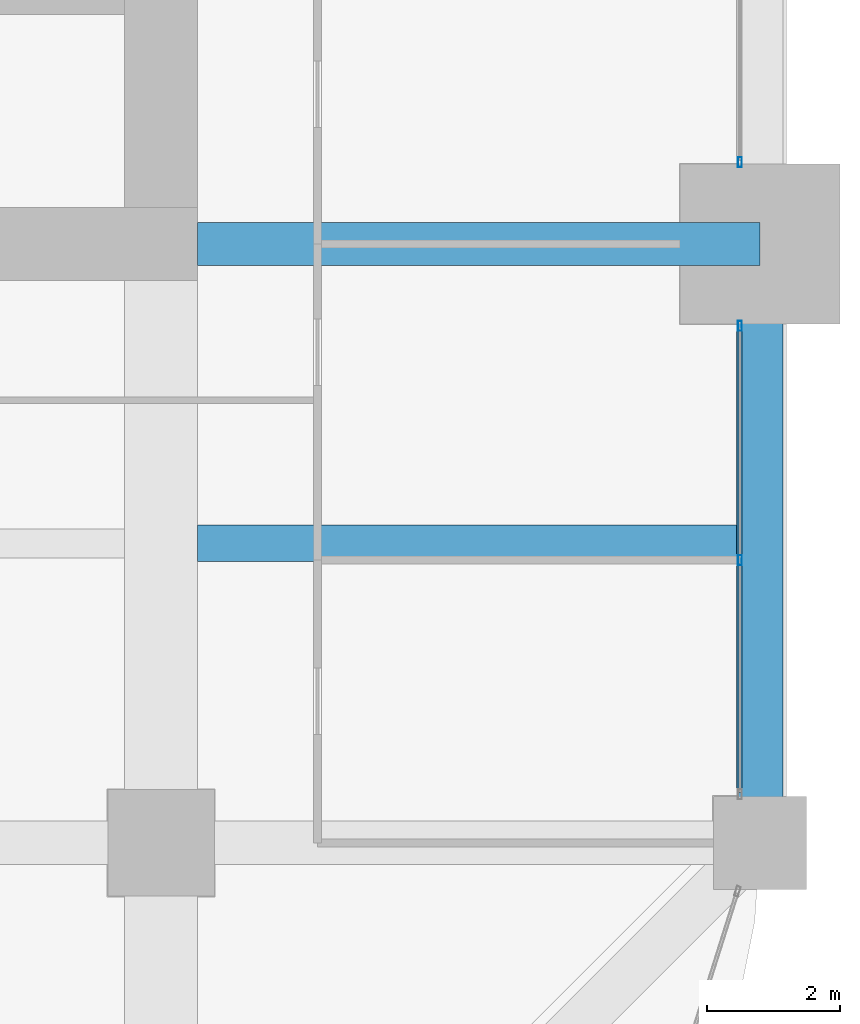
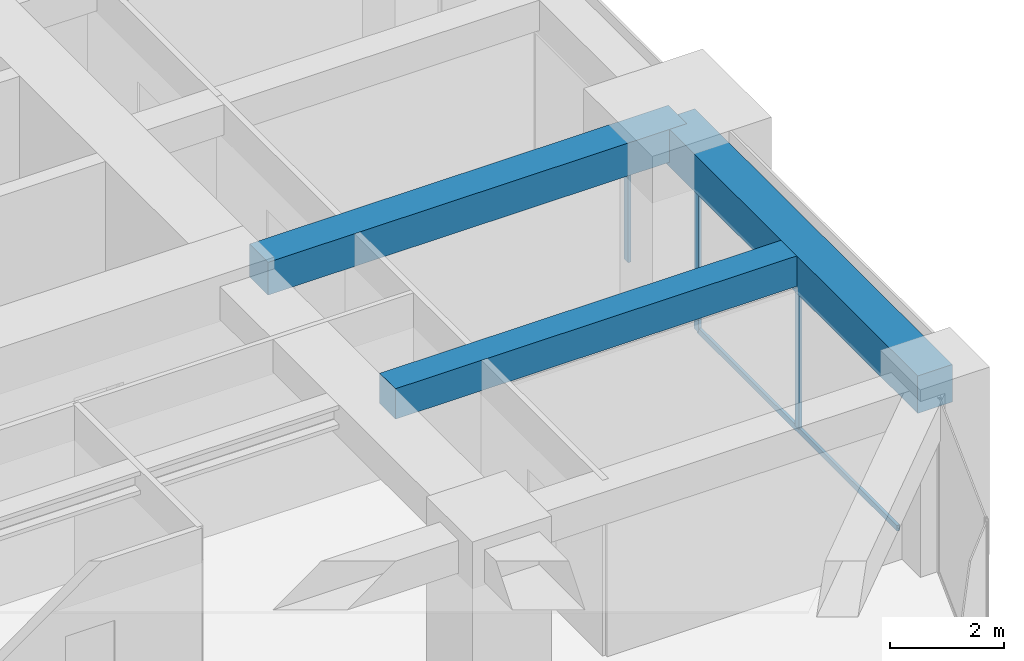
# One storey, part 17 of 32: 4 members, 3 beams, 2 elements without a shape of their own.
"""IFC4 building model written with IfcOpenShell, lengths in metres."""

from ifc_helpers import new_model, si_unit, direction, frame, origin, origin_2d, place, context, subcontext, project, spatial, rectangle, hollow_rectangle, extrude, material, material_profile, profile_set, type_object, element, aggregate, save


model = new_model("IFC4")

# Units and contexts
model_context = context("Model", 3, precision=1e-05, world=origin(), true_north=direction((0.0, 1.0)))
body_context = subcontext(model_context, "Body", "Model", "MODEL_VIEW")
ifc_project = project(units=[si_unit("LENGTHUNIT", "METRE"), si_unit("AREAUNIT", "SQUARE_METRE"), si_unit("VOLUMEUNIT", "CUBIC_METRE"), si_unit("PLANEANGLEUNIT", "RADIAN"), si_unit("MASSUNIT", "GRAM", prefix="KILO")], contexts=[model_context])

# Site, building, storey
site_placement = place(None, origin())
site = spatial("IfcSite", under=ifc_project, at=site_placement, CompositionType="ELEMENT")
building_placement = place(site_placement, origin())
building = spatial("IfcBuilding", under=site, at=building_placement, Name="Zorevar Civic Tower", CompositionType="ELEMENT")
storey_placement = place(building_placement, frame((0.0, 0.0, 190.199951171875)))
storey = spatial("IfcBuildingStorey", under=building, at=storey_placement, Name="L46", CompositionType="ELEMENT", Elevation=190.199951171875)

# Beams
ifc_material_1 = material(Name="Concrete C50/60", Category="concrete")
ifc_material_profile_1 = material_profile(ifc_material_1, rectangle(XDim=0.550048828125, YDim=0.64990234375, at=origin_2d()), Name="RC 550x650")
ifc_profile_set_1 = profile_set([ifc_material_profile_1], Name="Concrete C50/60")
beam_type_1 = type_object("IfcBeamType", Name="Beam RC 550x650", PredefinedType="BEAM", material=ifc_profile_set_1)
beam_1_placement = place(storey_placement, frame((45.550048828125, 13.5, 3.425048828125), z_axis=(1.0, 0.0, 0.0), x_axis=(0.0, 1.0, 0.0)))
element("IfcBeam", 1, at=beam_1_placement, inside=storey, type_object=beam_type_1, Name="Secondary beam L47", PredefinedType="BEAM", context=body_context, shape_type="SweptSolid", body=[
    extrude(rectangle(XDim=0.550048828125, YDim=0.64990234375, at=origin_2d()), origin(), (0.0, 0.0, 1.0), 8.099853515625),
])
ifc_material_2 = material(Name="Concrete C50/60", Category="concrete")
ifc_material_profile_2 = material_profile(ifc_material_2, rectangle(XDim=0.64990234375, YDim=0.699951171875, at=origin_2d()), Name="RC 650x700")
ifc_profile_set_2 = profile_set([ifc_material_profile_2], Name="Concrete C50/60")
beam_type_2 = type_object("IfcBeamType", Name="Beam RC 650x700", PredefinedType="BEAM", material=ifc_profile_set_2)
beam_2_placement = place(storey_placement, frame((45.550048828125, 18.0, 3.400146484375), z_axis=(1.0, 0.0, 0.0), x_axis=(0.0, 1.0, 0.0)))
element("IfcBeam", 2, at=beam_2_placement, inside=storey, type_object=beam_type_2, Name="Girder L47", PredefinedType="BEAM", context=body_context, shape_type="SweptSolid", body=[
    extrude(rectangle(XDim=0.64990234375, YDim=0.699951171875, at=origin_2d()), origin(), (0.0, 0.0, 1.0), 8.449951171875),
])

# Curtain wall, members
ifc_material_3 = material(Name="Dark grey solar-control glass in black aluminium frame", Category="aluminium")
curtain_wall_type = type_object("IfcCurtainWallType", Name="Curtain wall CW4 high zone", PredefinedType="NOTDEFINED", material=ifc_material_3)
curtain_wall_1_placement = place(storey_placement, origin())
curtain_wall_1 = element("IfcCurtainWall", 3, at=curtain_wall_1_placement, inside=storey, type_object=curtain_wall_type, Name="CW4 L46", PredefinedType="NOTDEFINED")
ifc_material_4 = material(Name="Aluminium, black anodised", Category="aluminium")
ifc_material_profile_3 = material_profile(ifc_material_4, hollow_rectangle(XDim=0.06005859375, YDim=0.14990234375, WallThickness=0.00390625, at=origin_2d()), Name="AL 150x60x4")
ifc_profile_set_3 = profile_set([ifc_material_profile_3], Name="Aluminium, black anodised")
member_type_1 = type_object("IfcMemberType", Name="CW4 mullion AL 150x60x4", PredefinedType="MULLION", material=ifc_profile_set_3)
member_1_placement = place(storey_placement, frame((53.699951171875, 13.25, 0.06005859375), z_axis=(0.0, 0.0, 1.0), x_axis=(-1.0, 0.0, 0.0)))
member_1 = element("IfcMember", 4, at=member_1_placement, type_object=member_type_1, Name="CW4 mullion 2", PredefinedType="MULLION", context=body_context, shape_type="SweptSolid", body=[
    extrude(hollow_rectangle(XDim=0.06005859375, YDim=0.14990234375, WallThickness=0.00390625, at=origin_2d()), origin(), (0.0, 0.0, 1.0), 2.889892578125),
])
member_2_placement = place(storey_placement, frame((53.699951171875, 16.77001953125, 0.0), z_axis=(0.0, 0.0, 1.0), x_axis=(-1.0, 0.0, 0.0)))
member_2 = element("IfcMember", 5, at=member_2_placement, type_object=member_type_1, Name="CW4 mullion 3", PredefinedType="MULLION", context=body_context, shape_type="SweptSolid", body=[
    extrude(hollow_rectangle(XDim=0.06005859375, YDim=0.14990234375, WallThickness=0.00390625, at=origin_2d()), origin(), (0.0, 0.0, 1.0), 2.949951171875),
])

# Curtain wall, member
curtain_wall_2_placement = place(storey_placement, origin())
curtain_wall_2 = element("IfcCurtainWall", 6, at=curtain_wall_2_placement, inside=storey, type_object=curtain_wall_type, Name="CW4 L46", PredefinedType="NOTDEFINED")
member_3_placement = place(storey_placement, frame((53.699951171875, 19.22998046875, 0.0), z_axis=(0.0, 0.0, 1.0), x_axis=(-1.0, 0.0, 0.0)))
member_3 = element("IfcMember", 7, at=member_3_placement, type_object=member_type_1, Name="CW4 mullion 1", PredefinedType="MULLION", context=body_context, shape_type="SweptSolid", body=[
    extrude(hollow_rectangle(XDim=0.06005859375, YDim=0.14990234375, WallThickness=0.00390625, at=origin_2d()), origin(), (0.0, 0.0, 1.0), 2.949951171875),
])
aggregate(curtain_wall_2, [member_3])

# Member
ifc_material_5 = material(Name="Aluminium, black anodised", Category="aluminium")
ifc_material_profile_4 = material_profile(ifc_material_5, hollow_rectangle(XDim=0.06005859375, YDim=0.1201171875, WallThickness=0.0029296875, at=origin_2d()), Name="AL 120x60x3")
ifc_profile_set_4 = profile_set([ifc_material_profile_4], Name="Aluminium, black anodised")
member_type_2 = type_object("IfcMemberType", Name="CW4 transom AL 120x60x3", PredefinedType="USERDEFINED", material=ifc_profile_set_4)
member_4_placement = place(storey_placement, frame((53.699951171875, 9.760009765625, 0.030029296875), z_axis=(0.0, 1.0, 0.0), x_axis=(-1.0, 0.0, 0.0)))
member_4 = element("IfcMember", 8, at=member_4_placement, type_object=member_type_2, Name="CW4 sill transom", ObjectType="TRANSOM", PredefinedType="USERDEFINED", context=body_context, shape_type="SweptSolid", body=[
    extrude(hollow_rectangle(XDim=0.06005859375, YDim=0.1201171875, WallThickness=0.0029296875, at=origin_2d()), origin(), (0.0, 0.0, 1.0), 6.97998046875),
])

aggregate(curtain_wall_1, [member_1, member_2, member_4])

# Beam
ifc_material_6 = material(Name="Concrete C50/60", Category="concrete")
ifc_material_profile_5 = material_profile(ifc_material_6, rectangle(XDim=0.699951171875, YDim=0.800048828125, at=origin_2d()), Name="RC 700x800")
ifc_profile_set_5 = profile_set([ifc_material_profile_5], Name="Concrete C50/60")
beam_type_3 = type_object("IfcBeamType", Name="Edge beam RC 700x800", PredefinedType="SPANDREL", material=ifc_profile_set_5)
beam_3_placement = place(storey_placement, frame((54.0, 9.0, 3.35009765625), z_axis=(0.0, 1.0, 0.0), x_axis=(-1.0, 0.0, 0.0)))
element("IfcBeam", 9, at=beam_3_placement, inside=storey, type_object=beam_type_3, Name="Edge beam L47", PredefinedType="SPANDREL", context=body_context, shape_type="SweptSolid", body=[
    extrude(rectangle(XDim=0.699951171875, YDim=0.800048828125, at=origin_2d()), origin(), (0.0, 0.0, 1.0), 9.0),
])

save(model, "model.ifc")
